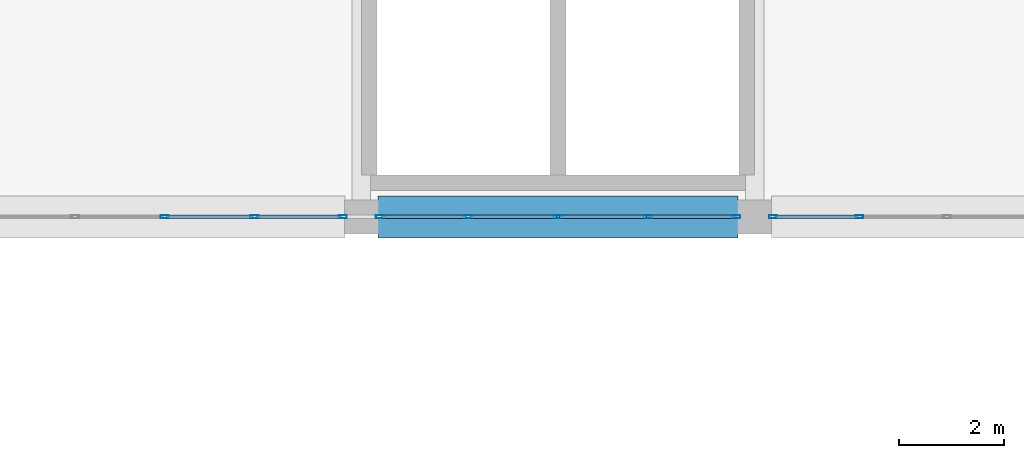
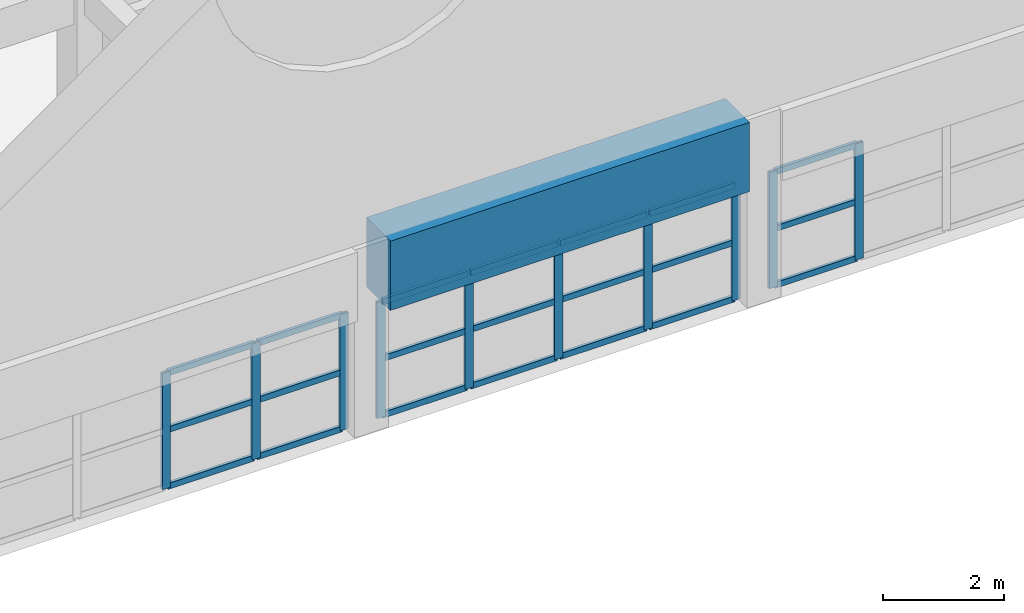
# One storey, part 4 of 74: 31 members, 1 beam, 3 elements without a shape of their own.
"""IFC4 building model written with IfcOpenShell, lengths in metres."""

from ifc_helpers import new_model, si_unit, direction, frame, origin, origin_2d, place, context, subcontext, project, spatial, rectangle, hollow_rectangle, extrude, material, layer, layer_set, material_profile, profile_set, type_object, element, aggregate, save


model = new_model("IFC4")

# Units and contexts
model_context = context("Model", 3, precision=1e-05, world=origin(), true_north=direction((0.0, 1.0)))
body_context = subcontext(model_context, "Body", "Model", "MODEL_VIEW")
ifc_project = project(units=[si_unit("LENGTHUNIT", "METRE"), si_unit("AREAUNIT", "SQUARE_METRE"), si_unit("VOLUMEUNIT", "CUBIC_METRE"), si_unit("PLANEANGLEUNIT", "RADIAN"), si_unit("MASSUNIT", "GRAM", prefix="KILO")], contexts=[model_context])

# Site, building, storey
site_placement = place(None, origin())
site = spatial("IfcSite", under=ifc_project, at=site_placement, CompositionType="ELEMENT")
building_placement = place(site_placement, origin())
building = spatial("IfcBuilding", under=site, at=building_placement, Name="Muzn Square Opera House", CompositionType="ELEMENT")
storey_placement = place(building_placement, frame((0.0, 0.0, 14.199951171875)))
storey = spatial("IfcBuildingStorey", under=building, at=storey_placement, Name="L03", CompositionType="ELEMENT", Elevation=14.199951171875)

# Curtain wall, members
ifc_material_1 = material(Name="Low-E laminated acoustic double glazing", Category="glass")
ifc_layer_1 = layer(ifc_material_1, 0.159912109375, Name="Low-E laminated acoustic double glazing", Category="glass")
ifc_layer_set_1 = layer_set([ifc_layer_1], Name="Low-E laminated acoustic double glazing")
curtain_wall_type_1 = type_object("IfcCurtainWallType", Name="Glazed Curtain Wall Forecourt 6850x2350", PredefinedType="USERDEFINED", material=ifc_layer_set_1)
curtain_wall_1_placement = place(storey_placement, origin())
curtain_wall_1 = element("IfcCurtainWall", 1, at=curtain_wall_1_placement, inside=storey, type_object=curtain_wall_type_1, Name="Glazed Curtain Wall CW-L03-019", ObjectType="GLAZED CURTAIN WALL", PredefinedType="USERDEFINED")
ifc_material_2 = material(Name="Anodised bronze aluminium 6063-T6", Category="metal")
ifc_material_profile_1 = material_profile(ifc_material_2, hollow_rectangle(XDim=0.06005859375, YDim=0.159912109375, WallThickness=0.00390625, at=origin_2d()), Name="ALU 160x60x4", Category="metal")
ifc_profile_set_1 = profile_set([ifc_material_profile_1], Name="Anodised bronze aluminium 6063-T6")
member_type_1 = type_object("IfcMemberType", Name="Curtain Wall Mullion 160x60", PredefinedType="MULLION", material=ifc_profile_set_1)
member_1_placement = place(storey_placement, frame((54.25, 22.0, 0.0), z_axis=(0.0, 0.0, 1.0), x_axis=(0.0, 1.0, 0.0)))
member_1 = element("IfcMember", 2, at=member_1_placement, type_object=member_type_1, Name="CW-FC-68x23 mullion 3", PredefinedType="MULLION", context=body_context, shape_type="SweptSolid", body=[
    extrude(hollow_rectangle(XDim=0.06005859375, YDim=0.159912109375, WallThickness=0.00390625, at=origin_2d()), origin(), (0.0, 0.0, 1.0), 2.35009765625),
])
member_2_placement = place(storey_placement, frame((55.96240234375, 22.0, 0.0), z_axis=(0.0, 0.0, 1.0), x_axis=(0.0, 1.0, 0.0)))
member_2 = element("IfcMember", 3, at=member_2_placement, type_object=member_type_1, Name="CW-FC-68x23 mullion 4", PredefinedType="MULLION", context=body_context, shape_type="SweptSolid", body=[
    extrude(hollow_rectangle(XDim=0.06005859375, YDim=0.159912109375, WallThickness=0.00390625, at=origin_2d()), origin(), (0.0, 0.0, 1.0), 2.35009765625),
])
member_3_placement = place(storey_placement, frame((57.64501953125, 22.0, 0.0), z_axis=(0.0, 0.0, 1.0), x_axis=(0.0, 1.0, 0.0)))
member_3 = element("IfcMember", 4, at=member_3_placement, type_object=member_type_1, Name="CW-FC-68x23 mullion 5", PredefinedType="MULLION", context=body_context, shape_type="SweptSolid", body=[
    extrude(hollow_rectangle(XDim=0.06005859375, YDim=0.159912109375, WallThickness=0.00390625, at=origin_2d()), origin(), (0.0, 0.0, 1.0), 2.35009765625),
])

curtain_wall_2_placement = place(storey_placement, origin())
curtain_wall_2 = element("IfcCurtainWall", 5, at=curtain_wall_2_placement, inside=storey, type_object=curtain_wall_type_1, Name="Glazed Curtain Wall CW-L03-020", ObjectType="GLAZED CURTAIN WALL", PredefinedType="USERDEFINED")
member_4_placement = place(storey_placement, frame((58.35498046875, 22.0, 0.0), z_axis=(0.0, 0.0, 1.0), x_axis=(0.0, 1.0, 0.0)))
member_4 = element("IfcMember", 6, at=member_4_placement, type_object=member_type_1, Name="CW-FC-68x23 mullion 1", PredefinedType="MULLION", context=body_context, shape_type="SweptSolid", body=[
    extrude(hollow_rectangle(XDim=0.06005859375, YDim=0.159912109375, WallThickness=0.00390625, at=origin_2d()), origin(), (0.0, 0.0, 1.0), 2.35009765625),
])
member_5_placement = place(storey_placement, frame((60.03759765625, 22.0, 0.0), z_axis=(0.0, 0.0, 1.0), x_axis=(0.0, 1.0, 0.0)))
member_5 = element("IfcMember", 7, at=member_5_placement, type_object=member_type_1, Name="CW-FC-68x23 mullion 2", PredefinedType="MULLION", context=body_context, shape_type="SweptSolid", body=[
    extrude(hollow_rectangle(XDim=0.06005859375, YDim=0.159912109375, WallThickness=0.00390625, at=origin_2d()), origin(), (0.0, 0.0, 1.0), 2.35009765625),
])
member_6_placement = place(storey_placement, frame((61.75, 22.0, 0.0), z_axis=(0.0, 0.0, 1.0), x_axis=(0.0, 1.0, 0.0)))
member_6 = element("IfcMember", 8, at=member_6_placement, type_object=member_type_1, Name="CW-FC-68x23 mullion 3", PredefinedType="MULLION", context=body_context, shape_type="SweptSolid", body=[
    extrude(hollow_rectangle(XDim=0.06005859375, YDim=0.159912109375, WallThickness=0.00390625, at=origin_2d()), origin(), (0.0, 0.0, 1.0), 2.35009765625),
])
member_7_placement = place(storey_placement, frame((63.46240234375, 22.0, 0.0), z_axis=(0.0, 0.0, 1.0), x_axis=(0.0, 1.0, 0.0)))
member_7 = element("IfcMember", 9, at=member_7_placement, type_object=member_type_1, Name="CW-FC-68x23 mullion 4", PredefinedType="MULLION", context=body_context, shape_type="SweptSolid", body=[
    extrude(hollow_rectangle(XDim=0.06005859375, YDim=0.159912109375, WallThickness=0.00390625, at=origin_2d()), origin(), (0.0, 0.0, 1.0), 2.35009765625),
])
member_8_placement = place(storey_placement, frame((65.14501953125, 22.0, 0.0), z_axis=(0.0, 0.0, 1.0), x_axis=(0.0, 1.0, 0.0)))
member_8 = element("IfcMember", 10, at=member_8_placement, type_object=member_type_1, Name="CW-FC-68x23 mullion 5", PredefinedType="MULLION", context=body_context, shape_type="SweptSolid", body=[
    extrude(hollow_rectangle(XDim=0.06005859375, YDim=0.159912109375, WallThickness=0.00390625, at=origin_2d()), origin(), (0.0, 0.0, 1.0), 2.35009765625),
])

ifc_layer_2 = layer(ifc_material_1, 0.159912109375, Name="Low-E laminated acoustic double glazing", Category="glass")
ifc_layer_set_2 = layer_set([ifc_layer_2], Name="Low-E laminated acoustic double glazing")
curtain_wall_type_2 = type_object("IfcCurtainWallType", Name="Glazed Curtain Wall Forecourt 6675x2350", PredefinedType="USERDEFINED", material=ifc_layer_set_2)
curtain_wall_3_placement = place(storey_placement, origin())
curtain_wall_3 = element("IfcCurtainWall", 11, at=curtain_wall_3_placement, inside=storey, type_object=curtain_wall_type_2, Name="Glazed Curtain Wall CW-L03-021", ObjectType="GLAZED CURTAIN WALL", PredefinedType="USERDEFINED")
member_9_placement = place(storey_placement, frame((65.85498046875, 22.0, 0.0), z_axis=(0.0, 0.0, 1.0), x_axis=(0.0, 1.0, 0.0)))
member_9 = element("IfcMember", 12, at=member_9_placement, type_object=member_type_1, Name="CW-FC-66x23 mullion 1", PredefinedType="MULLION", context=body_context, shape_type="SweptSolid", body=[
    extrude(hollow_rectangle(XDim=0.06005859375, YDim=0.159912109375, WallThickness=0.00390625, at=origin_2d()), origin(), (0.0, 0.0, 1.0), 2.35009765625),
])
member_10_placement = place(storey_placement, frame((67.49365234375, 22.0, 0.0), z_axis=(0.0, 0.0, 1.0), x_axis=(0.0, 1.0, 0.0)))
member_10 = element("IfcMember", 13, at=member_10_placement, type_object=member_type_1, Name="CW-FC-66x23 mullion 2", PredefinedType="MULLION", context=body_context, shape_type="SweptSolid", body=[
    extrude(hollow_rectangle(XDim=0.06005859375, YDim=0.159912109375, WallThickness=0.00390625, at=origin_2d()), origin(), (0.0, 0.0, 1.0), 2.35009765625),
])

# Member
ifc_material_profile_2 = material_profile(ifc_material_2, hollow_rectangle(XDim=0.06005859375, YDim=0.1201171875, WallThickness=0.00390625, at=origin_2d()), Name="ALU 120x60x4", Category="metal")
ifc_profile_set_2 = profile_set([ifc_material_profile_2], Name="Anodised bronze aluminium 6063-T6")
member_type_2 = type_object("IfcMemberType", Name="Curtain Wall Transom 120x60", PredefinedType="USERDEFINED", material=ifc_profile_set_2)
member_11_placement = place(storey_placement, frame((54.280029296875, 22.0, 0.030029296875), z_axis=(1.0, 0.0, 0.0), x_axis=(0.0, 1.0, 0.0)))
member_11 = element("IfcMember", 14, at=member_11_placement, type_object=member_type_2, Name="CW-FC-68x23 transom 3.1", ObjectType="TRANSOM", PredefinedType="USERDEFINED", context=body_context, shape_type="SweptSolid", body=[
    extrude(hollow_rectangle(XDim=0.06005859375, YDim=0.1201171875, WallThickness=0.00390625, at=origin_2d()), origin(), (0.0, 0.0, 1.0), 1.652587890625),
])

member_12_placement = place(storey_placement, frame((54.280029296875, 22.0, 1.175048828125), z_axis=(1.0, 0.0, 0.0), x_axis=(0.0, 1.0, 0.0)))
member_12 = element("IfcMember", 15, at=member_12_placement, type_object=member_type_2, Name="CW-FC-68x23 transom 3.2", ObjectType="TRANSOM", PredefinedType="USERDEFINED", context=body_context, shape_type="SweptSolid", body=[
    extrude(hollow_rectangle(XDim=0.06005859375, YDim=0.1201171875, WallThickness=0.00390625, at=origin_2d()), origin(), (0.0, 0.0, 1.0), 1.652587890625),
])

member_13_placement = place(storey_placement, frame((54.280029296875, 22.0, 2.320068359375), z_axis=(1.0, 0.0, 0.0), x_axis=(0.0, 1.0, 0.0)))
member_13 = element("IfcMember", 16, at=member_13_placement, type_object=member_type_2, Name="CW-FC-68x23 transom 3.3", ObjectType="TRANSOM", PredefinedType="USERDEFINED", context=body_context, shape_type="SweptSolid", body=[
    extrude(hollow_rectangle(XDim=0.06005859375, YDim=0.1201171875, WallThickness=0.00390625, at=origin_2d()), origin(), (0.0, 0.0, 1.0), 1.652587890625),
])

member_14_placement = place(storey_placement, frame((55.992431640625, 22.0, 0.030029296875), z_axis=(1.0, 0.0, 0.0), x_axis=(0.0, 1.0, 0.0)))
member_14 = element("IfcMember", 17, at=member_14_placement, type_object=member_type_2, Name="CW-FC-68x23 transom 4.1", ObjectType="TRANSOM", PredefinedType="USERDEFINED", context=body_context, shape_type="SweptSolid", body=[
    extrude(hollow_rectangle(XDim=0.06005859375, YDim=0.1201171875, WallThickness=0.00390625, at=origin_2d()), origin(), (0.0, 0.0, 1.0), 1.62255859375),
])

member_15_placement = place(storey_placement, frame((55.992431640625, 22.0, 1.175048828125), z_axis=(1.0, 0.0, 0.0), x_axis=(0.0, 1.0, 0.0)))
member_15 = element("IfcMember", 18, at=member_15_placement, type_object=member_type_2, Name="CW-FC-68x23 transom 4.2", ObjectType="TRANSOM", PredefinedType="USERDEFINED", context=body_context, shape_type="SweptSolid", body=[
    extrude(hollow_rectangle(XDim=0.06005859375, YDim=0.1201171875, WallThickness=0.00390625, at=origin_2d()), origin(), (0.0, 0.0, 1.0), 1.62255859375),
])

member_16_placement = place(storey_placement, frame((55.992431640625, 22.0, 2.320068359375), z_axis=(1.0, 0.0, 0.0), x_axis=(0.0, 1.0, 0.0)))
member_16 = element("IfcMember", 19, at=member_16_placement, type_object=member_type_2, Name="CW-FC-68x23 transom 4.3", ObjectType="TRANSOM", PredefinedType="USERDEFINED", context=body_context, shape_type="SweptSolid", body=[
    extrude(hollow_rectangle(XDim=0.06005859375, YDim=0.1201171875, WallThickness=0.00390625, at=origin_2d()), origin(), (0.0, 0.0, 1.0), 1.62255859375),
])

aggregate(curtain_wall_1, [member_1, member_2, member_3, member_11, member_12, member_13, member_14, member_15, member_16])

member_17_placement = place(storey_placement, frame((58.385009765625, 22.0, 0.030029296875), z_axis=(1.0, 0.0, 0.0), x_axis=(0.0, 1.0, 0.0)))
member_17 = element("IfcMember", 20, at=member_17_placement, type_object=member_type_2, Name="CW-FC-68x23 transom 1.1", ObjectType="TRANSOM", PredefinedType="USERDEFINED", context=body_context, shape_type="SweptSolid", body=[
    extrude(hollow_rectangle(XDim=0.06005859375, YDim=0.1201171875, WallThickness=0.00390625, at=origin_2d()), origin(), (0.0, 0.0, 1.0), 1.62255859375),
])

member_18_placement = place(storey_placement, frame((58.385009765625, 22.0, 1.175048828125), z_axis=(1.0, 0.0, 0.0), x_axis=(0.0, 1.0, 0.0)))
member_18 = element("IfcMember", 21, at=member_18_placement, type_object=member_type_2, Name="CW-FC-68x23 transom 1.2", ObjectType="TRANSOM", PredefinedType="USERDEFINED", context=body_context, shape_type="SweptSolid", body=[
    extrude(hollow_rectangle(XDim=0.06005859375, YDim=0.1201171875, WallThickness=0.00390625, at=origin_2d()), origin(), (0.0, 0.0, 1.0), 1.62255859375),
])

member_19_placement = place(storey_placement, frame((58.385009765625, 22.0, 2.320068359375), z_axis=(1.0, 0.0, 0.0), x_axis=(0.0, 1.0, 0.0)))
member_19 = element("IfcMember", 22, at=member_19_placement, type_object=member_type_2, Name="CW-FC-68x23 transom 1.3", ObjectType="TRANSOM", PredefinedType="USERDEFINED", context=body_context, shape_type="SweptSolid", body=[
    extrude(hollow_rectangle(XDim=0.06005859375, YDim=0.1201171875, WallThickness=0.00390625, at=origin_2d()), origin(), (0.0, 0.0, 1.0), 1.62255859375),
])

member_20_placement = place(storey_placement, frame((60.0673828125, 22.0, 0.030029296875), z_axis=(1.0, 0.0, 0.0), x_axis=(0.0, 1.0, 0.0)))
member_20 = element("IfcMember", 23, at=member_20_placement, type_object=member_type_2, Name="CW-FC-68x23 transom 2.1", ObjectType="TRANSOM", PredefinedType="USERDEFINED", context=body_context, shape_type="SweptSolid", body=[
    extrude(hollow_rectangle(XDim=0.06005859375, YDim=0.1201171875, WallThickness=0.00390625, at=origin_2d()), origin(), (0.0, 0.0, 1.0), 1.652587890625),
])

member_21_placement = place(storey_placement, frame((60.0673828125, 22.0, 1.175048828125), z_axis=(1.0, 0.0, 0.0), x_axis=(0.0, 1.0, 0.0)))
member_21 = element("IfcMember", 24, at=member_21_placement, type_object=member_type_2, Name="CW-FC-68x23 transom 2.2", ObjectType="TRANSOM", PredefinedType="USERDEFINED", context=body_context, shape_type="SweptSolid", body=[
    extrude(hollow_rectangle(XDim=0.06005859375, YDim=0.1201171875, WallThickness=0.00390625, at=origin_2d()), origin(), (0.0, 0.0, 1.0), 1.652587890625),
])

member_22_placement = place(storey_placement, frame((60.0673828125, 22.0, 2.320068359375), z_axis=(1.0, 0.0, 0.0), x_axis=(0.0, 1.0, 0.0)))
member_22 = element("IfcMember", 25, at=member_22_placement, type_object=member_type_2, Name="CW-FC-68x23 transom 2.3", ObjectType="TRANSOM", PredefinedType="USERDEFINED", context=body_context, shape_type="SweptSolid", body=[
    extrude(hollow_rectangle(XDim=0.06005859375, YDim=0.1201171875, WallThickness=0.00390625, at=origin_2d()), origin(), (0.0, 0.0, 1.0), 1.652587890625),
])

member_23_placement = place(storey_placement, frame((61.780029296875, 22.0, 0.030029296875), z_axis=(1.0, 0.0, 0.0), x_axis=(0.0, 1.0, 0.0)))
member_23 = element("IfcMember", 26, at=member_23_placement, type_object=member_type_2, Name="CW-FC-68x23 transom 3.1", ObjectType="TRANSOM", PredefinedType="USERDEFINED", context=body_context, shape_type="SweptSolid", body=[
    extrude(hollow_rectangle(XDim=0.06005859375, YDim=0.1201171875, WallThickness=0.00390625, at=origin_2d()), origin(), (0.0, 0.0, 1.0), 1.652587890625),
])

member_24_placement = place(storey_placement, frame((61.780029296875, 22.0, 1.175048828125), z_axis=(1.0, 0.0, 0.0), x_axis=(0.0, 1.0, 0.0)))
member_24 = element("IfcMember", 27, at=member_24_placement, type_object=member_type_2, Name="CW-FC-68x23 transom 3.2", ObjectType="TRANSOM", PredefinedType="USERDEFINED", context=body_context, shape_type="SweptSolid", body=[
    extrude(hollow_rectangle(XDim=0.06005859375, YDim=0.1201171875, WallThickness=0.00390625, at=origin_2d()), origin(), (0.0, 0.0, 1.0), 1.652587890625),
])

member_25_placement = place(storey_placement, frame((61.780029296875, 22.0, 2.320068359375), z_axis=(1.0, 0.0, 0.0), x_axis=(0.0, 1.0, 0.0)))
member_25 = element("IfcMember", 28, at=member_25_placement, type_object=member_type_2, Name="CW-FC-68x23 transom 3.3", ObjectType="TRANSOM", PredefinedType="USERDEFINED", context=body_context, shape_type="SweptSolid", body=[
    extrude(hollow_rectangle(XDim=0.06005859375, YDim=0.1201171875, WallThickness=0.00390625, at=origin_2d()), origin(), (0.0, 0.0, 1.0), 1.652587890625),
])

member_26_placement = place(storey_placement, frame((63.492431640625, 22.0, 0.030029296875), z_axis=(1.0, 0.0, 0.0), x_axis=(0.0, 1.0, 0.0)))
member_26 = element("IfcMember", 29, at=member_26_placement, type_object=member_type_2, Name="CW-FC-68x23 transom 4.1", ObjectType="TRANSOM", PredefinedType="USERDEFINED", context=body_context, shape_type="SweptSolid", body=[
    extrude(hollow_rectangle(XDim=0.06005859375, YDim=0.1201171875, WallThickness=0.00390625, at=origin_2d()), origin(), (0.0, 0.0, 1.0), 1.62255859375),
])

member_27_placement = place(storey_placement, frame((63.492431640625, 22.0, 1.175048828125), z_axis=(1.0, 0.0, 0.0), x_axis=(0.0, 1.0, 0.0)))
member_27 = element("IfcMember", 30, at=member_27_placement, type_object=member_type_2, Name="CW-FC-68x23 transom 4.2", ObjectType="TRANSOM", PredefinedType="USERDEFINED", context=body_context, shape_type="SweptSolid", body=[
    extrude(hollow_rectangle(XDim=0.06005859375, YDim=0.1201171875, WallThickness=0.00390625, at=origin_2d()), origin(), (0.0, 0.0, 1.0), 1.62255859375),
])

member_28_placement = place(storey_placement, frame((63.492431640625, 22.0, 2.320068359375), z_axis=(1.0, 0.0, 0.0), x_axis=(0.0, 1.0, 0.0)))
member_28 = element("IfcMember", 31, at=member_28_placement, type_object=member_type_2, Name="CW-FC-68x23 transom 4.3", ObjectType="TRANSOM", PredefinedType="USERDEFINED", context=body_context, shape_type="SweptSolid", body=[
    extrude(hollow_rectangle(XDim=0.06005859375, YDim=0.1201171875, WallThickness=0.00390625, at=origin_2d()), origin(), (0.0, 0.0, 1.0), 1.62255859375),
])

aggregate(curtain_wall_2, [member_4, member_5, member_6, member_7, member_8, member_17, member_18, member_19, member_20, member_21, member_22, member_23, member_24, member_25, member_26, member_27, member_28])

member_29_placement = place(storey_placement, frame((65.885009765625, 22.0, 0.030029296875), z_axis=(1.0, 0.0, 0.0), x_axis=(0.0, 1.0, 0.0)))
member_29 = element("IfcMember", 32, at=member_29_placement, type_object=member_type_2, Name="CW-FC-66x23 transom 1.1", ObjectType="TRANSOM", PredefinedType="USERDEFINED", context=body_context, shape_type="SweptSolid", body=[
    extrude(hollow_rectangle(XDim=0.06005859375, YDim=0.1201171875, WallThickness=0.00390625, at=origin_2d()), origin(), (0.0, 0.0, 1.0), 1.578857421875),
])

member_30_placement = place(storey_placement, frame((65.885009765625, 22.0, 1.175048828125), z_axis=(1.0, 0.0, 0.0), x_axis=(0.0, 1.0, 0.0)))
member_30 = element("IfcMember", 33, at=member_30_placement, type_object=member_type_2, Name="CW-FC-66x23 transom 1.2", ObjectType="TRANSOM", PredefinedType="USERDEFINED", context=body_context, shape_type="SweptSolid", body=[
    extrude(hollow_rectangle(XDim=0.06005859375, YDim=0.1201171875, WallThickness=0.00390625, at=origin_2d()), origin(), (0.0, 0.0, 1.0), 1.578857421875),
])

member_31_placement = place(storey_placement, frame((65.885009765625, 22.0, 2.320068359375), z_axis=(1.0, 0.0, 0.0), x_axis=(0.0, 1.0, 0.0)))
member_31 = element("IfcMember", 34, at=member_31_placement, type_object=member_type_2, Name="CW-FC-66x23 transom 1.3", ObjectType="TRANSOM", PredefinedType="USERDEFINED", context=body_context, shape_type="SweptSolid", body=[
    extrude(hollow_rectangle(XDim=0.06005859375, YDim=0.1201171875, WallThickness=0.00390625, at=origin_2d()), origin(), (0.0, 0.0, 1.0), 1.578857421875),
])

aggregate(curtain_wall_3, [member_9, member_10, member_29, member_30, member_31])

# Beam
ifc_material_3 = material(Name="Concrete C45/55", Category="concrete")
ifc_material_profile_3 = material_profile(ifc_material_3, rectangle(XDim=0.800048828125, YDim=1.39990234375, at=origin_2d()), Name="RCB 800x1400", Category="concrete")
ifc_profile_set_3 = profile_set([ifc_material_profile_3], Name="Concrete C45/55")
beam_type = type_object("IfcBeamType", Name="Vault Springing Girder 800x1400", PredefinedType="BEAM", material=ifc_profile_set_3)
beam_placement = place(storey_placement, frame((58.31689453125, 22.0, 3.10009765625), z_axis=(1.0, 0.0, 0.0), x_axis=(0.0, 1.0, 0.0)))
element("IfcBeam", 35, at=beam_placement, inside=storey, type_object=beam_type, Name="Gable Support Girder BM-L03-BM-VS1400-583_220_652_220-2409", PredefinedType="BEAM", context=body_context, shape_type="SweptSolid", body=[
    extrude(rectangle(XDim=0.800048828125, YDim=1.39990234375, at=origin_2d()), origin(), (0.0, 0.0, 1.0), 6.8662109375),
])

save(model, "model.ifc")
